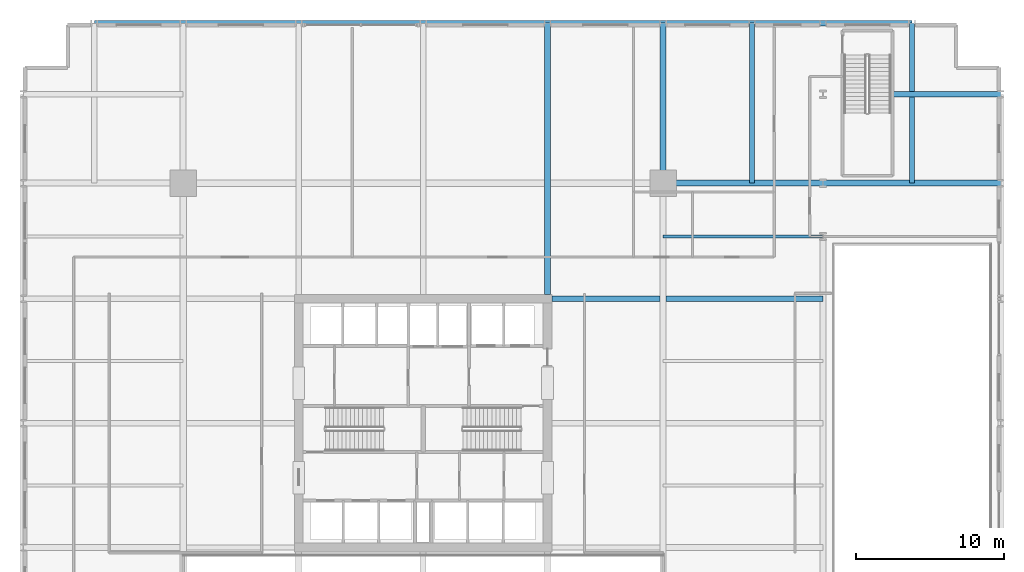
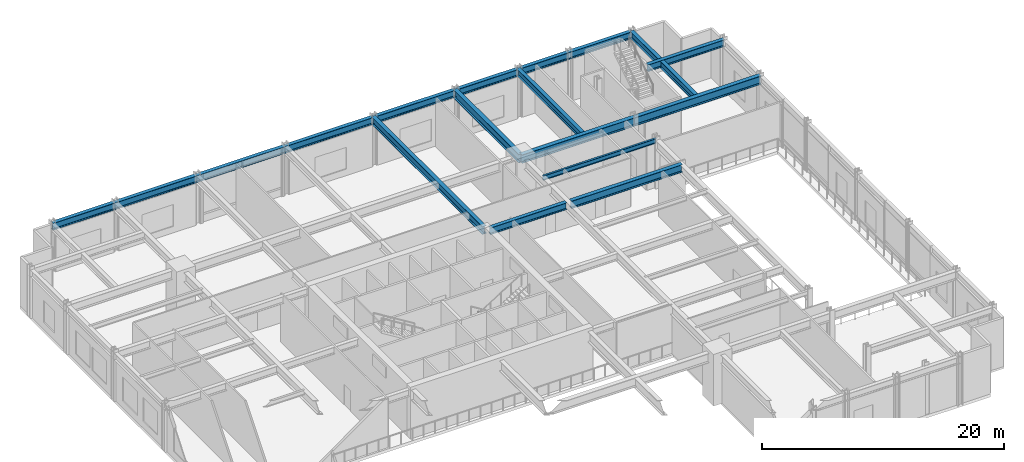
# One storey, part 6 of 19: 11 beams.
"""IFC4 building model written with IfcOpenShell, lengths in metres."""

from ifc_helpers import new_model, si_unit, direction, frame, origin, origin_2d, place, context, subcontext, project, spatial, i_section, extrude, material, material_profile, profile_set, type_object, element, save


model = new_model("IFC4")

# Units and contexts
model_context = context("Model", 3, precision=1e-05, world=origin(), true_north=direction((0.0, 1.0)))
body_context = subcontext(model_context, "Body", "Model", "MODEL_VIEW")
ifc_project = project(units=[si_unit("LENGTHUNIT", "METRE"), si_unit("AREAUNIT", "SQUARE_METRE"), si_unit("VOLUMEUNIT", "CUBIC_METRE"), si_unit("PLANEANGLEUNIT", "RADIAN"), si_unit("MASSUNIT", "GRAM", prefix="KILO")], contexts=[model_context])

# Site, building, storey
site_placement = place(None, origin())
site = spatial("IfcSite", under=ifc_project, at=site_placement, CompositionType="ELEMENT")
building_placement = place(site_placement, origin())
building = spatial("IfcBuilding", under=site, at=building_placement, Name="Drelvath Grand Hotel", CompositionType="ELEMENT")
storey_placement = place(building_placement, frame((0.0, 0.0, 17.199951171875)))
storey = spatial("IfcBuildingStorey", under=building, at=storey_placement, Name="L03", CompositionType="ELEMENT", Elevation=17.199951171875)

# Beams
ifc_material = material(Name="Steel ASTM A992 Gr 50", Category="steel")
ifc_material_profile_1 = material_profile(ifc_material, i_section(OverallWidth=0.19140625, OverallDepth=0.4599609375, WebThickness=0.010009765625, FlangeThickness=0.01611328125, FilletRadius=0.01611328125, at=origin_2d()), Name="W18X55")
ifc_profile_set_1 = profile_set([ifc_material_profile_1], Name="Steel ASTM A992 Gr 50")
beam_type_1 = type_object("IfcBeamType", Name="Composite Floor Joist W18X55", PredefinedType="JOIST", material=ifc_profile_set_1)
beam_1_placement = place(storey_placement, frame((16.199951171875, 39.60009765625, 4.670166015625), z_axis=(1.0, 0.0, 0.0), x_axis=(0.0, 1.0, 0.0)))
element("IfcBeam", 1, at=beam_1_placement, inside=storey, type_object=beam_type_1, Name="L03 East Composite Joist J4", PredefinedType="JOIST", context=body_context, shape_type="SweptSolid", body=[
    extrude(i_section(OverallWidth=0.19140625, OverallDepth=0.4599609375, WebThickness=0.010009765625, FlangeThickness=0.01611328125, FilletRadius=0.01611328125, at=origin_2d()), origin(), (0.0, 0.0, 1.0), 10.800048828125),
])
ifc_material_profile_2 = material_profile(ifc_material, i_section(OverallWidth=0.354736328125, OverallDepth=0.695556640625, WebThickness=0.015380859375, FlangeThickness=0.025146484375, FilletRadius=0.02392578125, at=origin_2d()), Name="W27X146")
ifc_profile_set_2 = profile_set([ifc_material_profile_2], Name="Steel ASTM A992 Gr 50")
beam_type_2 = type_object("IfcBeamType", Name="Perimeter Spandrel Beam W27X146", PredefinedType="SPANDREL", material=ifc_profile_set_2)
beam_2_placement = place(storey_placement, frame((-22.199951171875, 54.0, 4.55224609375), z_axis=(1.0, 0.0, 0.0), x_axis=(0.0, 1.0, 0.0)))
element("IfcBeam", 2, at=beam_2_placement, inside=storey, type_object=beam_type_2, Name="L03 Podium Perimeter Spandrel SPN1", PredefinedType="SPANDREL", context=body_context, shape_type="SweptSolid", body=[
    extrude(i_section(OverallWidth=0.354736328125, OverallDepth=0.695556640625, WebThickness=0.015380859375, FlangeThickness=0.025146484375, FilletRadius=0.02392578125, at=origin_2d()), origin(), (0.0, 0.0, 1.0), 55.199951171875),
])
ifc_material_profile_3 = material_profile(ifc_material, i_section(OverallWidth=0.354736328125, OverallDepth=0.695556640625, WebThickness=0.015380859375, FlangeThickness=0.025146484375, FilletRadius=0.02392578125, at=origin_2d()), Name="W27X146")
ifc_profile_set_3 = profile_set([ifc_material_profile_3], Name="Steel ASTM A992 Gr 50")
beam_type_3 = type_object("IfcBeamType", Name="Primary Floor Girder W27X146", PredefinedType="BEAM", material=ifc_profile_set_3)
beam_3_placement = place(storey_placement, frame((8.699951171875, 35.39990234375, 4.55224609375), z_axis=(1.0, 0.0, 0.0), x_axis=(0.0, 1.0, 0.0)))
element("IfcBeam", 3, at=beam_3_placement, inside=storey, type_object=beam_type_3, Name="L03 East Core Girder F", PredefinedType="BEAM", context=body_context, shape_type="SweptSolid", body=[
    extrude(i_section(OverallWidth=0.354736328125, OverallDepth=0.695556640625, WebThickness=0.015380859375, FlangeThickness=0.025146484375, FilletRadius=0.02392578125, at=origin_2d()), origin(), (0.0, 0.0, 1.0), 7.28857421875),
])
beam_4_placement = place(storey_placement, frame((31.679931640625, 49.199951171875, 4.55224609375), z_axis=(1.0, 0.0, 0.0), x_axis=(0.0, 1.0, 0.0)))
element("IfcBeam", 4, at=beam_4_placement, inside=storey, type_object=beam_type_3, Name="L03 East Corner Tie H", PredefinedType="BEAM", context=body_context, shape_type="SweptSolid", body=[
    extrude(i_section(OverallWidth=0.354736328125, OverallDepth=0.695556640625, WebThickness=0.015380859375, FlangeThickness=0.025146484375, FilletRadius=0.02392578125, at=origin_2d()), origin(), (0.0, 0.0, 1.0), 7.320068359375),
])
for number, where, z_axis, x_axis, name in (
    (5, (22.199951171875, 43.199951171875, 4.55224609375), (0.0, 1.0, 0.0), (-1.0, 0.0, 0.0), "L03 North Corner Tie 8"),
    (6, (33.0, 43.199951171875, 4.55224609375), (0.0, 1.0, 0.0), (-1.0, 0.0, 0.0), "L03 North Corner Tie 10"),
):
    element("IfcBeam", number, at=place(storey_placement, frame(where, z_axis=z_axis, x_axis=x_axis)), inside=storey, type_object=beam_type_3, Name=name, PredefinedType="BEAM", context=body_context, shape_type="SweptSolid", body=[
        extrude(i_section(OverallWidth=0.354736328125, OverallDepth=0.695556640625, WebThickness=0.015380859375, FlangeThickness=0.025146484375, FilletRadius=0.02392578125, at=origin_2d()), origin(), (0.0, 0.0, 1.0), 10.800048828125),
    ])
ifc_material_profile_4 = material_profile(ifc_material, i_section(OverallWidth=0.380615234375, OverallDepth=0.773193359375, WebThickness=0.0166015625, FlangeThickness=0.027099609375, FilletRadius=0.02490234375, at=origin_2d()), Name="W30X173")
ifc_profile_set_4 = profile_set([ifc_material_profile_4], Name="Steel ASTM A992 Gr 50")
beam_type_4 = type_object("IfcBeamType", Name="Primary Floor Girder W30X173", PredefinedType="BEAM", material=ifc_profile_set_4)
beam_5_placement = place(storey_placement, frame((8.39990234375, 35.699951171875, 4.513427734375), z_axis=(0.0, 1.0, 0.0), x_axis=(-1.0, 0.0, 0.0)))
element("IfcBeam", 7, at=beam_5_placement, inside=storey, type_object=beam_type_4, Name="L03 North Span Girder Grid 6", PredefinedType="BEAM", context=body_context, shape_type="SweptSolid", body=[
    extrude(i_section(OverallWidth=0.380615234375, OverallDepth=0.773193359375, WebThickness=0.0166015625, FlangeThickness=0.027099609375, FilletRadius=0.02490234375, at=origin_2d()), origin(), (0.0, 0.0, 1.0), 18.300048828125),
])
beam_6_placement = place(storey_placement, frame((16.41162109375, 35.39990234375, 4.513427734375), z_axis=(1.0, 0.0, 0.0), x_axis=(0.0, 1.0, 0.0)))
element("IfcBeam", 8, at=beam_6_placement, inside=storey, type_object=beam_type_4, Name="L03 East Bay Girder F", PredefinedType="BEAM", context=body_context, shape_type="SweptSolid", body=[
    extrude(i_section(OverallWidth=0.380615234375, OverallDepth=0.773193359375, WebThickness=0.0166015625, FlangeThickness=0.027099609375, FilletRadius=0.02490234375, at=origin_2d()), origin(), (0.0, 0.0, 1.0), 10.58837890625),
])
ifc_material_profile_5 = material_profile(ifc_material, i_section(OverallWidth=0.39990234375, OverallDepth=0.85546875, WebThickness=0.018310546875, FlangeThickness=0.029296875, FilletRadius=0.02490234375, at=origin_2d()), Name="W33X201")
ifc_profile_set_5 = profile_set([ifc_material_profile_5], Name="Steel ASTM A992 Gr 50")
beam_type_5 = type_object("IfcBeamType", Name="Primary Floor Girder W33X201", PredefinedType="BEAM", material=ifc_profile_set_5)
beam_7_placement = place(storey_placement, frame((16.199951171875, 43.199951171875, 4.472412109375), z_axis=(1.0, 0.0, 0.0), x_axis=(0.0, 1.0, 0.0)))
element("IfcBeam", 9, at=beam_7_placement, inside=storey, type_object=beam_type_5, Name="L03 East Podium Girder 1 G", PredefinedType="BEAM", context=body_context, shape_type="SweptSolid", body=[
    extrude(i_section(OverallWidth=0.39990234375, OverallDepth=0.85546875, WebThickness=0.018310546875, FlangeThickness=0.029296875, FilletRadius=0.02490234375, at=origin_2d()), origin(), (0.0, 0.0, 1.0), 10.800048828125),
])
beam_8_placement = place(storey_placement, frame((27.0, 43.199951171875, 4.472412109375), z_axis=(1.0, 0.0, 0.0), x_axis=(0.0, 1.0, 0.0)))
element("IfcBeam", 10, at=beam_8_placement, inside=storey, type_object=beam_type_5, Name="L03 East Podium Girder 2 G", PredefinedType="BEAM", context=body_context, shape_type="SweptSolid", body=[
    extrude(i_section(OverallWidth=0.39990234375, OverallDepth=0.85546875, WebThickness=0.018310546875, FlangeThickness=0.029296875, FilletRadius=0.02490234375, at=origin_2d()), origin(), (0.0, 0.0, 1.0), 12.0),
])
beam_9_placement = place(storey_placement, frame((16.199951171875, 43.199951171875, 4.472412109375), z_axis=(0.0, 1.0, 0.0), x_axis=(-1.0, 0.0, 0.0)))
element("IfcBeam", 11, at=beam_9_placement, inside=storey, type_object=beam_type_5, Name="L03 North Podium Girder 7", PredefinedType="BEAM", context=body_context, shape_type="SweptSolid", body=[
    extrude(i_section(OverallWidth=0.39990234375, OverallDepth=0.85546875, WebThickness=0.018310546875, FlangeThickness=0.029296875, FilletRadius=0.02490234375, at=origin_2d()), origin(), (0.0, 0.0, 1.0), 10.800048828125),
])

save(model, "model.ifc")
